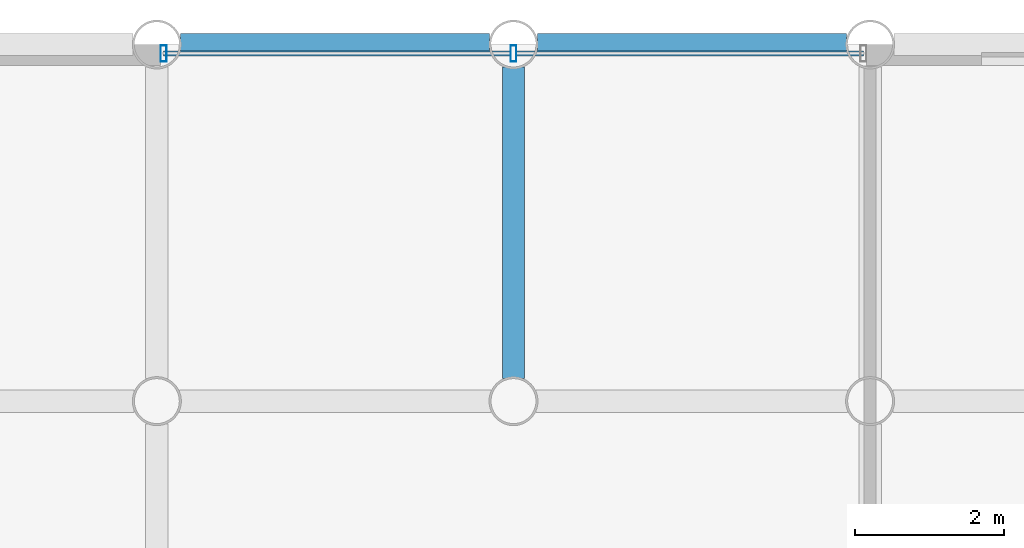
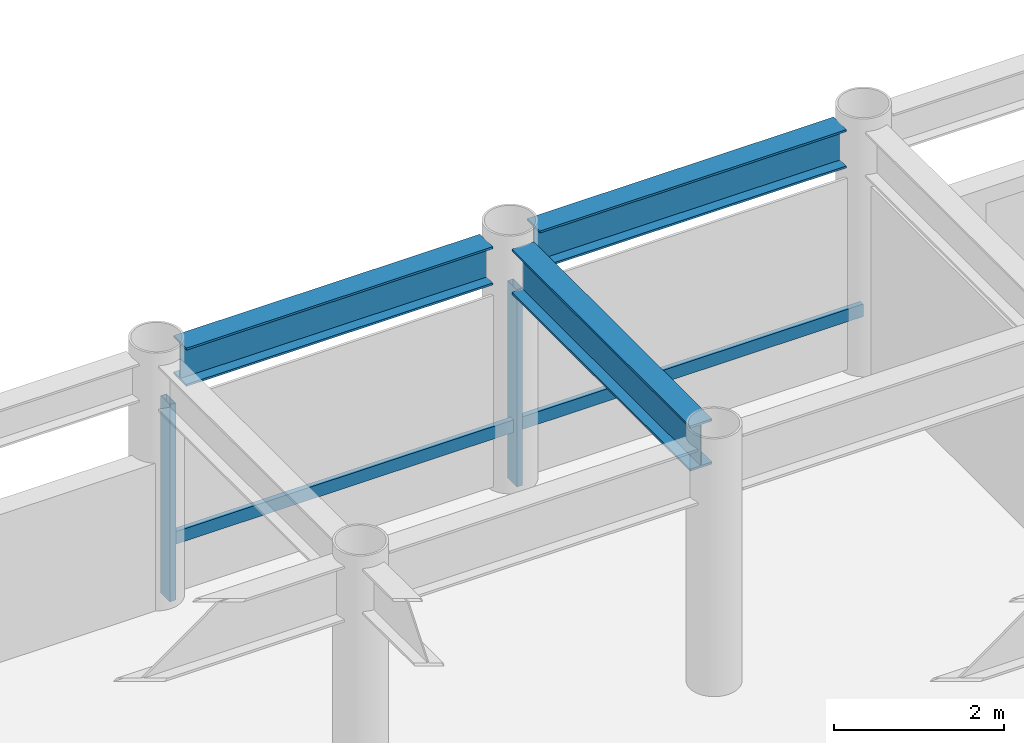
# One storey, part 13 of 22: 4 members, 3 beams, 1 element without a shape of its own.
"""IFC4 building model written with IfcOpenShell, lengths in metres."""

import ifcopenshell
import ifcopenshell.guid

model = None  # the IFC model being written
_history = None  # IfcOwnerHistory: only IFC2X3 demands one
_inside = {}  # id of a spatial element -> (the spatial element, [elements in it])
_under = {}  # id of a project, library or spatial element -> (it, [spatial elements below it])
_declared = {}  # id of a project -> (the project, [libraries it declares])
_typed = {}  # id of a type object -> (the type object, [elements of that type])
_made_of = {}  # id of a material, layer set ... -> (it, [elements and type objects made of it])


def new_model(schema):
    """Start an empty IFC model of exactly this schema.

    Asked for "IFC4X3", IfcOpenShell would pick the latest addendum, in which some entities
    have other attributes; the version numbers below select the first issue.
    IFC2X3 requires an IfcOwnerHistory on every rooted entity: one is made here for all.
    """
    global model, _history
    if schema == "IFC4X3":
        model = ifcopenshell.file(schema_version=(4, 3, 0, 0))
    else:
        model = ifcopenshell.file(schema=schema)
    _inside.clear()
    _under.clear()
    _declared.clear()
    _typed.clear()
    _made_of.clear()
    _history = None
    if model.schema == "IFC2X3":
        org = make("IfcOrganization", Name="unknown")
        user = make(
            "IfcPersonAndOrganization",
            ThePerson=make("IfcPerson", FamilyName="unknown"),
            TheOrganization=org,
        )
        app = make(
            "IfcApplication",
            ApplicationDeveloper=org,
            Version="unknown",
            ApplicationFullName="unknown",
            ApplicationIdentifier="unknown",
        )
        _history = make(
            "IfcOwnerHistory",
            OwningUser=user,
            OwningApplication=app,
            ChangeAction="ADDED",
            CreationDate=0,
        )
    return model


def make(cls, **values):
    """One entity of the class cls with the attributes given. An attribute that is None is left unset."""
    return model.create_entity(
        cls, **{name: value for name, value in values.items() if value is not None}
    )


def rooted(cls, **values):
    """An entity with a GlobalId (a new one), such as an element, a storey or a relation."""
    return make(cls, GlobalId=ifcopenshell.guid.new(), OwnerHistory=_history, **values)


def si_unit(unit_type, name, prefix=None):
    """IfcSIUnit, for example si_unit("LENGTHUNIT", "METRE", prefix="MILLI")."""
    return make("IfcSIUnit", UnitType=unit_type, Prefix=prefix, Name=name)


def assignment(units):
    """IfcUnitAssignment: the units of a project."""
    return None if units is None else make("IfcUnitAssignment", Units=units)


def point(xyz):
    """IfcCartesianPoint."""
    return None if xyz is None else make("IfcCartesianPoint", Coordinates=xyz)


def direction(xyz):
    """IfcDirection."""
    return None if xyz is None else make("IfcDirection", DirectionRatios=xyz)


def frame(location, z_axis=None, x_axis=None):
    """IfcAxis2Placement3D, a coordinate frame: its origin and axes. An axis left out is left unset."""
    return make(
        "IfcAxis2Placement3D",
        Location=point(location),
        Axis=direction(z_axis),
        RefDirection=direction(x_axis),
    )


def frame_2d(location, x_axis=None):
    """IfcAxis2Placement2D, a coordinate frame in the plane: its origin and x axis."""
    return make(
        "IfcAxis2Placement2D", Location=point(location), RefDirection=direction(x_axis)
    )


def origin():
    """The frame at (0, 0, 0) with its axes left unset."""
    return frame((0.0, 0.0, 0.0))


def origin_2d():
    """The frame at (0, 0) in the plane with its x axis left unset."""
    return frame_2d((0.0, 0.0))


def place(relative_to, where):
    """IfcLocalPlacement: puts the frame where relative to a parent placement (None: the world)."""
    return make(
        "IfcLocalPlacement", PlacementRelTo=relative_to, RelativePlacement=where
    )


def context(
    kind, dimensions, precision=None, world=None, true_north=None, identifier=None
):
    """IfcGeometricRepresentationContext, for example the 3D "Model" context."""
    return make(
        "IfcGeometricRepresentationContext",
        ContextIdentifier=identifier,
        ContextType=kind,
        CoordinateSpaceDimension=dimensions,
        Precision=precision,
        WorldCoordinateSystem=world,
        TrueNorth=true_north,
    )


def subcontext(parent, identifier, kind, view, scale=None):
    """IfcGeometricRepresentationSubContext, for example "Body" below "Model"."""
    return make(
        "IfcGeometricRepresentationSubContext",
        ContextIdentifier=identifier,
        ContextType=kind,
        ParentContext=parent,
        TargetScale=scale,
        TargetView=view,
    )


def project(units=None, contexts=None):
    """IfcProject with its units and contexts."""
    return rooted(
        "IfcProject",
        Name="project",
        RepresentationContexts=contexts,
        UnitsInContext=assignment(units),
    )


def spatial(cls, under=None, at=None, **own):
    """A site, building, storey or space (cls), placed at a placement, below another one or the project."""
    s = rooted(cls, ObjectPlacement=at, **own)
    if under is not None:
        _under.setdefault(under.id(), (under, []))[1].append(s)
    return s


def profile(cls, at=None, kind="AREA", **sizes):
    """A parametric profile (cls). Its sizes go by their IFC names, for example OverallWidth=200.0."""
    return make(cls, ProfileType=kind, Position=at, **sizes)


def hollow_rectangle(**sizes):
    """IfcRectangleHollowProfileDef."""
    return profile("IfcRectangleHollowProfileDef", **sizes)


def i_section(**sizes):
    """IfcIShapeProfileDef."""
    return profile("IfcIShapeProfileDef", **sizes)


def extrude(swept, where, along, depth):
    """IfcExtrudedAreaSolid: the profile swept, set in the frame where, extruded along a direction by depth."""
    return make(
        "IfcExtrudedAreaSolid",
        SweptArea=swept,
        Position=where,
        ExtrudedDirection=direction(along),
        Depth=depth,
    )


def shape(context_of_items, identifier, shape_type, items):
    """IfcShapeRepresentation: the items that make up one representation, for example the "Body"."""
    return make(
        "IfcShapeRepresentation",
        ContextOfItems=context_of_items,
        RepresentationIdentifier=identifier,
        RepresentationType=shape_type,
        Items=items,
    )


def material(Name=None, Category=None):
    """IfcMaterial."""
    return make("IfcMaterial", Name=Name, Category=Category)


def layer(
    of_material, thickness, ventilated=None, Name=None, Category=None, Priority=None
):
    """IfcMaterialLayer: one layer of a wall or slab, of a material (None: an air gap)."""
    return make(
        "IfcMaterialLayer",
        Material=of_material,
        LayerThickness=thickness,
        IsVentilated=ventilated,
        Name=Name,
        Category=Category,
        Priority=Priority,
    )


def layer_set(layers, Name=None):
    """IfcMaterialLayerSet."""
    return make("IfcMaterialLayerSet", MaterialLayers=layers, LayerSetName=Name)


def material_profile(
    of_material, cross_section, Name=None, Category=None, Priority=None
):
    """IfcMaterialProfile: a cross section and its material."""
    return make(
        "IfcMaterialProfile",
        Name=Name,
        Material=of_material,
        Profile=cross_section,
        Priority=Priority,
        Category=Category,
    )


def profile_set(profiles, Name=None, composite=None):
    """IfcMaterialProfileSet."""
    return make(
        "IfcMaterialProfileSet",
        Name=Name,
        MaterialProfiles=profiles,
        CompositeProfile=composite,
    )


def made_of(thing, what):
    """Note that an element or type object is made of a material, layer set ...; save() writes the relation."""
    if what is not None:
        _made_of.setdefault(what.id(), (what, []))[1].append(thing)
    return thing


def type_object(cls, material=None, **own):
    """A type object (cls), such as IfcWallType, which elements share."""
    return made_of(rooted(cls, **own), material)


def element(
    cls,
    number,
    at=None,
    inside=None,
    cuts=None,
    type_object=None,
    material=None,
    context=None,
    identifier="Body",
    shape_type=None,
    held_by="IfcProductDefinitionShape",
    body=None,
    shapes=None,
    **own,
):
    """One element of the class cls, such as IfcWall. Its Tag is "e" and its number.

    at: its placement. inside: the storey or other place that contains it. cuts: it is an
    opening in that element (IfcRelVoidsElement). A single representation is given by context,
    identifier, shape_type and body (its items); several are given by shapes. held_by: the class
    of the entity that holds the representations. save() writes the other relations.
    """
    e = rooted(cls, Tag="e%d" % number, ObjectPlacement=at, **own)
    if body is not None:
        shapes = [shape(context, identifier, shape_type, body)]
    if shapes is not None:
        e.Representation = make(held_by, Representations=shapes)
    if inside is not None:
        _inside.setdefault(inside.id(), (inside, []))[1].append(e)
    if cuts is not None:
        rooted(
            "IfcRelVoidsElement", RelatingBuildingElement=cuts, RelatedOpeningElement=e
        )
    if type_object is not None:
        _typed.setdefault(type_object.id(), (type_object, []))[1].append(e)
    return made_of(e, material)


def aggregate(whole, parts):
    """IfcRelAggregates: a whole, such as a stair, and the parts it consists of."""
    return rooted("IfcRelAggregates", RelatingObject=whole, RelatedObjects=parts)


def save(model, path):
    """Write the relations noted so far, then the file.

    IfcRelAggregates (storeys below a building ...), IfcRelContainedInSpatialStructure (elements
    in a storey), IfcRelDefinesByType, IfcRelAssociatesMaterial and IfcRelDeclares: one each for
    every whole, place, type object, material and project.
    """
    for whole, parts in _under.values():
        aggregate(whole, parts)
    for where, things in _inside.values():
        rooted(
            "IfcRelContainedInSpatialStructure",
            RelatedElements=things,
            RelatingStructure=where,
        )
    for kind, things in _typed.values():
        rooted("IfcRelDefinesByType", RelatedObjects=things, RelatingType=kind)
    for what, things in _made_of.values():
        rooted("IfcRelAssociatesMaterial", RelatedObjects=things, RelatingMaterial=what)
    for by, libraries in _declared.values():
        rooted("IfcRelDeclares", RelatingContext=by, RelatedDefinitions=libraries)
    model.write(path)


model = new_model("IFC4")

# Units and contexts
model_context = context("Model", 3, precision=1e-05, world=origin(), true_north=direction((0.0, 1.0)))
body_context = subcontext(model_context, "Body", "Model", "MODEL_VIEW")
ifc_project = project(units=[si_unit("LENGTHUNIT", "METRE"), si_unit("AREAUNIT", "SQUARE_METRE"), si_unit("VOLUMEUNIT", "CUBIC_METRE"), si_unit("PLANEANGLEUNIT", "RADIAN"), si_unit("MASSUNIT", "GRAM", prefix="KILO")], contexts=[model_context])

# Site, building, storey
site_placement = place(None, origin())
site = spatial("IfcSite", under=ifc_project, at=site_placement, CompositionType="ELEMENT")
building_placement = place(site_placement, origin())
building = spatial("IfcBuilding", under=site, at=building_placement, Name="Kallvorn Hotel Tower", CompositionType="ELEMENT")
storey_placement = place(building_placement, frame((0.0, 0.0, 117.39990234375)))
storey = spatial("IfcBuildingStorey", under=building, at=storey_placement, Name="L28", CompositionType="ELEMENT", Elevation=117.39990234375)

# Beams
ifc_material_1 = material(Name="Structural steel S355JR", Category="steel")
ifc_material_profile_1 = material_profile(ifc_material_1, i_section(OverallWidth=0.300048828125, OverallDepth=0.550048828125, WebThickness=0.014892578125, FlangeThickness=0.029052734375, at=origin_2d()), Name="HE 550 B")
ifc_profile_set_1 = profile_set([ifc_material_profile_1], Name="Structural steel S355JR")
beam_type_1 = type_object("IfcBeamType", Name="BM_HE550B", PredefinedType="SPANDREL", material=ifc_profile_set_1)
for number, where, z_axis, x_axis, name in (
    (1, (-4.47998046875, 24.0, 3.2451171875), (1.0, 0.0, 0.0), (0.0, 1.0, 0.0), "L29 Perimeter Spandrel 167"),
    (2, (0.320068359375, 24.0, 3.2451171875), (1.0, 0.0, 0.0), (0.0, 1.0, 0.0), "L29 Perimeter Spandrel 168"),
):
    element("IfcBeam", number, at=place(storey_placement, frame(where, z_axis=z_axis, x_axis=x_axis)), inside=storey, type_object=beam_type_1, Name=name, PredefinedType="SPANDREL", context=body_context, shape_type="SweptSolid", body=[
        extrude(i_section(OverallWidth=0.300048828125, OverallDepth=0.550048828125, WebThickness=0.014892578125, FlangeThickness=0.029052734375, at=origin_2d()), origin(), (0.0, 0.0, 1.0), 4.159912109375),
    ])
ifc_material_2 = material(Name="Structural steel S355JR", Category="steel")
ifc_material_profile_2 = material_profile(ifc_material_2, i_section(OverallWidth=0.300048828125, OverallDepth=0.64990234375, WebThickness=0.01611328125, FlangeThickness=0.031005859375, at=origin_2d()), Name="HE 650 B")
ifc_profile_set_2 = profile_set([ifc_material_profile_2], Name="Structural steel S355JR")
beam_type_2 = type_object("IfcBeamType", Name="BM_HE650B", PredefinedType="BEAM", material=ifc_profile_set_2)
beam_placement = place(storey_placement, frame((0.0, 19.5048828125, 3.195068359375), z_axis=(0.0, 1.0, 0.0), x_axis=(-1.0, 0.0, 0.0)))
element("IfcBeam", 3, at=beam_placement, inside=storey, type_object=beam_type_2, Name="L29 Primary Y-Girder 112", PredefinedType="BEAM", context=body_context, shape_type="SweptSolid", body=[
    extrude(i_section(OverallWidth=0.300048828125, OverallDepth=0.64990234375, WebThickness=0.01611328125, FlangeThickness=0.031005859375, at=origin_2d()), origin(), (0.0, 0.0, 1.0), 4.190185546875),
])

# Curtain wall, members
ifc_material_3 = material(Name="Thermally broken black-anodised aluminium AA 6063-T6", Category="aluminium")
ifc_layer = layer(ifc_material_3, 0.199951171875)
ifc_layer_set = layer_set([ifc_layer], Name="CW_SYS_3_HOTEL_LOW")
curtain_wall_type = type_object("IfcCurtainWallType", Name="CW_SYS_3_HOTEL_LOW", PredefinedType="USERDEFINED", material=ifc_layer_set)
curtain_wall_placement = place(storey_placement, origin())
curtain_wall = element("IfcCurtainWall", 4, at=curtain_wall_placement, inside=storey, type_object=curtain_wall_type, Name="L28 Dark-Glass Curtain Wall CW-L28-NC", ObjectType="UNITISED CURTAIN WALL", PredefinedType="USERDEFINED")
ifc_material_4 = material(Name="Thermally broken black-anodised aluminium AA 6063-T6", Category="aluminium")
ifc_material_profile_3 = material_profile(ifc_material_4, hollow_rectangle(XDim=0.080078125, YDim=0.219970703125, WallThickness=0.0048828125, at=origin_2d()), Name="MUL 220x80")
ifc_profile_set_3 = profile_set([ifc_material_profile_3], Name="Thermally broken black-anodised aluminium AA 6063-T6")
member_type_1 = type_object("IfcMemberType", Name="CW_MULLION_220x80", PredefinedType="MULLION", material=ifc_profile_set_3)
member_1_placement = place(storey_placement, frame((-4.7099609375, 23.8798828125, 0.02001953125), z_axis=(0.0, 0.0, 1.0), x_axis=(1.0, 0.0, 0.0)))
member_1 = element("IfcMember", 5, at=member_1_placement, type_object=member_type_1, Name="CW-L28-NC Mullion 00", PredefinedType="MULLION", context=body_context, shape_type="SweptSolid", body=[
    extrude(hollow_rectangle(XDim=0.080078125, YDim=0.219970703125, WallThickness=0.0048828125, at=origin_2d()), origin(), (0.0, 0.0, 1.0), 2.830078125),
])
member_2_placement = place(storey_placement, frame((0.0, 23.8798828125, 0.02001953125), z_axis=(0.0, 0.0, 1.0), x_axis=(1.0, 0.0, 0.0)))
member_2 = element("IfcMember", 6, at=member_2_placement, type_object=member_type_1, Name="CW-L28-NC Mullion 01", PredefinedType="MULLION", context=body_context, shape_type="SweptSolid", body=[
    extrude(hollow_rectangle(XDim=0.080078125, YDim=0.219970703125, WallThickness=0.0048828125, at=origin_2d()), origin(), (0.0, 0.0, 1.0), 2.830078125),
])
ifc_material_5 = material(Name="Thermally broken black-anodised aluminium AA 6063-T6", Category="aluminium")
ifc_material_profile_4 = material_profile(ifc_material_5, hollow_rectangle(XDim=0.070068359375, YDim=0.179931640625, WallThickness=0.00390625, at=origin_2d()), Name="TRN 180x70")
ifc_profile_set_4 = profile_set([ifc_material_profile_4], Name="Thermally broken black-anodised aluminium AA 6063-T6")
member_type_2 = type_object("IfcMemberType", Name="CW_TRANSOM_180x70", PredefinedType="USERDEFINED", material=ifc_profile_set_4)
member_3_placement = place(storey_placement, frame((-4.7099609375, 23.8798828125, 0.85009765625), z_axis=(1.0, 0.0, 0.0), x_axis=(0.0, 1.0, 0.0)))
member_3 = element("IfcMember", 7, at=member_3_placement, type_object=member_type_2, Name="CW-L28-NC Transom 00M", ObjectType="TRANSOM", PredefinedType="USERDEFINED", context=body_context, shape_type="SweptSolid", body=[
    extrude(hollow_rectangle(XDim=0.070068359375, YDim=0.179931640625, WallThickness=0.00390625, at=origin_2d()), origin(), (0.0, 0.0, 1.0), 4.669921875),
])
member_4_placement = place(storey_placement, frame((0.0400390625, 23.8798828125, 0.85009765625), z_axis=(1.0, 0.0, 0.0), x_axis=(0.0, 1.0, 0.0)))
member_4 = element("IfcMember", 8, at=member_4_placement, type_object=member_type_2, Name="CW-L28-NC Transom 01M", ObjectType="TRANSOM", PredefinedType="USERDEFINED", context=body_context, shape_type="SweptSolid", body=[
    extrude(hollow_rectangle(XDim=0.070068359375, YDim=0.179931640625, WallThickness=0.00390625, at=origin_2d()), origin(), (0.0, 0.0, 1.0), 4.669921875),
])
aggregate(curtain_wall, [member_1, member_2, member_3, member_4])

save(model, "model.ifc")
